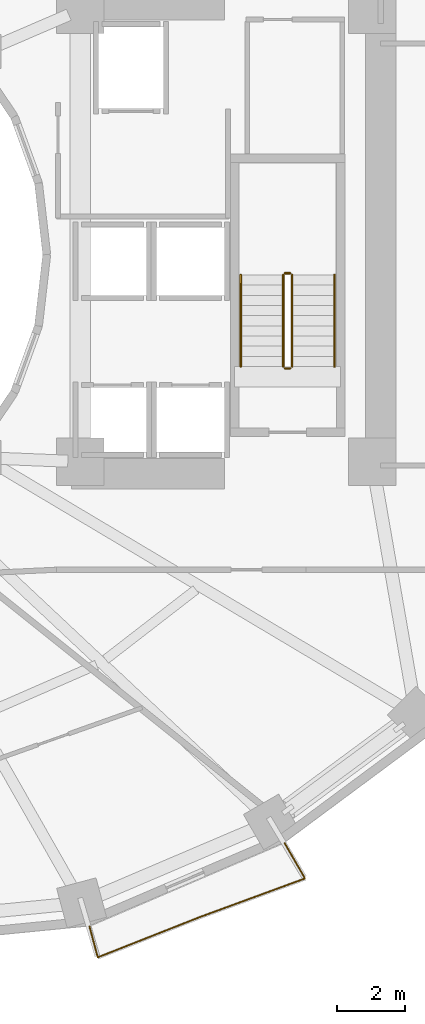
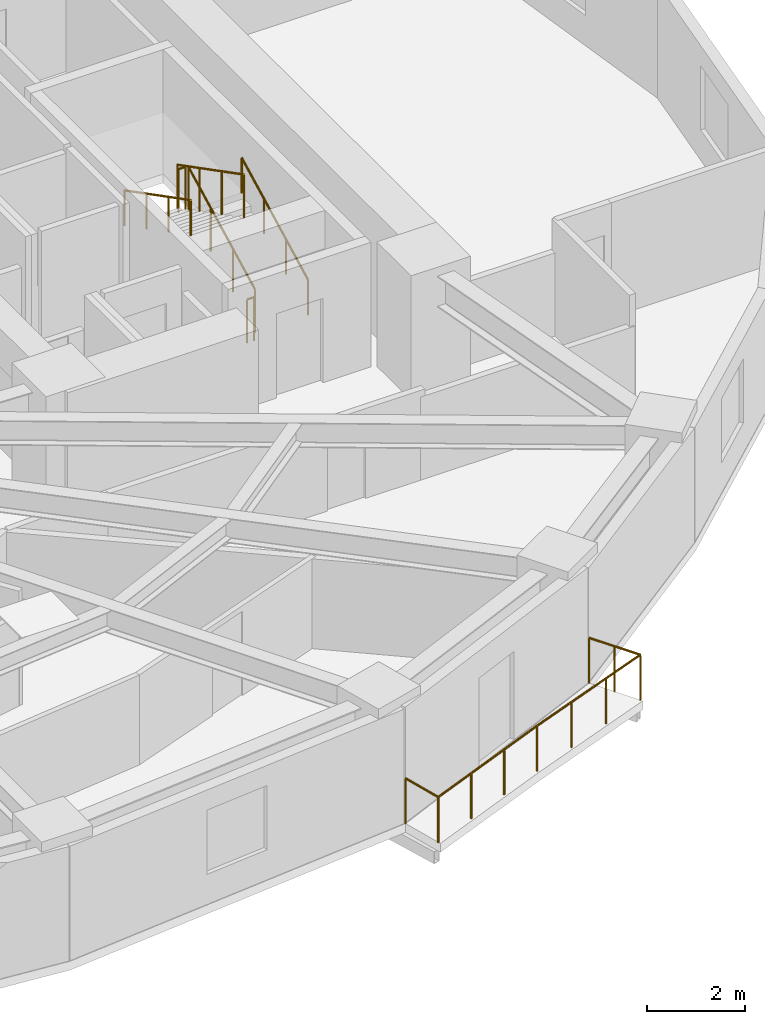
# One storey, part 9 of 10: 7 railings.
"""IFC4 building model written with IfcOpenShell, lengths in metres."""

from ifc_helpers import new_model, si_unit, direction, frame, origin, origin_2d, place, context, subcontext, project, spatial, circle, extrude, material, type_object, element, save


model = new_model("IFC4")

# Units and contexts
model_context = context("Model", 3, precision=1e-05, world=origin(), true_north=direction((0.0, 1.0)))
body_context = subcontext(model_context, "Body", "Model", "MODEL_VIEW")
ifc_project = project(units=[si_unit("LENGTHUNIT", "METRE"), si_unit("AREAUNIT", "SQUARE_METRE"), si_unit("VOLUMEUNIT", "CUBIC_METRE"), si_unit("PLANEANGLEUNIT", "RADIAN"), si_unit("MASSUNIT", "GRAM", prefix="KILO")], contexts=[model_context])

# Site, building, storey
site_placement = place(None, origin())
site = spatial("IfcSite", under=ifc_project, at=site_placement, CompositionType="ELEMENT")
building_placement = place(site_placement, origin())
building = spatial("IfcBuilding", under=site, at=building_placement, Name="Solvane Sanctuary Tower", CompositionType="ELEMENT")
storey_placement = place(building_placement, frame((0.0, 0.0, 30.699951171875)))
storey = spatial("IfcBuildingStorey", under=building, at=storey_placement, Name="L08", CompositionType="ELEMENT", Elevation=30.699951171875)

# Railings
ifc_material = material(Name="Architectural Stainless Steel 316", Category="steel")
railing_type_1 = type_object("IfcRailingType", Name="Railing GR-BALC-1150", PredefinedType="BALUSTRADE", material=ifc_material)
railing_1_placement = place(storey_placement, frame((40.376708984375, 3.22119140625, 0.0)))
element("IfcRailing", 1, at=railing_1_placement, inside=storey, type_object=railing_type_1, Name="L08 Wave Balcony Balustrade S2", PredefinedType="BALUSTRADE", context=body_context, shape_type="SweptSolid", body=[
    extrude(circle(Radius=0.02392578125, at=origin_2d()), frame((0.0, 0.0, 1.1259765625), z_axis=(0.259016592134, -0.965872872069, 0.0), x_axis=(0.965872872069, 0.259016592134, 0.0)), (0.0, 0.0, 1.0), 0.942626953125),
    extrude(circle(Radius=0.02392578125, at=origin_2d()), frame((0.244140625, -0.910400390625, 1.1259765625), z_axis=(0.930250511205, 0.366925041939, 0.0), x_axis=(-0.366925041939, 0.930250511205, 0.0)), (0.0, 0.0, 1.0), 3.24560546875),
    extrude(circle(Radius=0.02392578125, at=origin_2d()), frame((3.263427734375, 0.280517578125, 1.1259765625), z_axis=(0.938757668563, 0.344578060407, 0.0), x_axis=(-0.344578060407, 0.938757668563, 0.0)), (0.0, 0.0, 1.0), 3.282470703125),
    extrude(circle(Radius=0.02392578125, at=origin_2d()), frame((6.344970703125, 1.41162109375, 1.1259765625), z_axis=(-0.500055147301, 0.865993562134, 0.0), x_axis=(-0.865993562134, -0.500055147301, 0.0)), (0.0, 0.0, 1.0), 1.206787109375),
    extrude(circle(Radius=0.02099609375, at=origin_2d()), origin(), (0.0, 0.0, 1.0), 1.101806640625),
    extrude(circle(Radius=0.02099609375, at=origin_2d()), frame((0.244140625, -0.910400390625, 0.0)), (0.0, 0.0, 1.0), 1.101806640625),
    extrude(circle(Radius=0.02099609375, at=origin_2d()), frame((1.25048828125, -0.513427734375, 0.0)), (0.0, 0.0, 1.0), 1.101806640625),
    extrude(circle(Radius=0.02099609375, at=origin_2d()), frame((2.257080078125, -0.116455078125, 0.0)), (0.0, 0.0, 1.0), 1.101806640625),
    extrude(circle(Radius=0.02099609375, at=origin_2d()), frame((3.263427734375, 0.280517578125, 0.0)), (0.0, 0.0, 1.0), 1.101806640625),
    extrude(circle(Radius=0.02099609375, at=origin_2d()), frame((4.29052734375, 0.657470703125, 0.0)), (0.0, 0.0, 1.0), 1.101806640625),
    extrude(circle(Radius=0.02099609375, at=origin_2d()), frame((5.31787109375, 1.03466796875, 0.0)), (0.0, 0.0, 1.0), 1.101806640625),
    extrude(circle(Radius=0.02099609375, at=origin_2d()), frame((6.344970703125, 1.41162109375, 0.0)), (0.0, 0.0, 1.0), 1.101806640625),
    extrude(circle(Radius=0.02099609375, at=origin_2d()), frame((6.043212890625, 1.93408203125, 0.0)), (0.0, 0.0, 1.0), 1.101806640625),
    extrude(circle(Radius=0.02099609375, at=origin_2d()), frame((5.741455078125, 2.456787109375, 0.0)), (0.0, 0.0, 1.0), 1.101806640625),
])
railing_2_placement = place(storey_placement, frame((46.340087890625, 19.699951171875, 0.155029296875)))
element("IfcRailing", 2, at=railing_2_placement, inside=storey, type_object=railing_type_1, Name="L08 ST-2 stair guard 1", PredefinedType="BALUSTRADE", context=body_context, shape_type="SweptSolid", body=[
    extrude(circle(Radius=0.02392578125, at=origin_2d()), frame((0.0, 0.0, 1.076171875), z_axis=(0.0, 0.888419900624, 0.459031676658), x_axis=(-1.0, 0.0, 0.0)), (0.0, 0.0, 1.0), 3.0390625),
    extrude(circle(Radius=0.02099609375, at=origin_2d()), origin(), (0.0, 0.0, 1.0), 1.052001953125),
    extrude(circle(Radius=0.02099609375, at=origin_2d()), frame((0.0, 0.89990234375, 0.465087890625)), (0.0, 0.0, 1.0), 1.052001953125),
    extrude(circle(Radius=0.02099609375, at=origin_2d()), frame((0.0, 1.800048828125, 0.929931640625)), (0.0, 0.0, 1.0), 1.052001953125),
    extrude(circle(Radius=0.02099609375, at=origin_2d()), frame((0.0, 2.699951171875, 1.39501953125)), (0.0, 0.0, 1.0), 1.052001953125),
])
railing_3_placement = place(storey_placement, frame((46.2900390625, 22.449951171875, 1.550048828125)))
element("IfcRailing", 3, at=railing_3_placement, inside=storey, type_object=railing_type_1, Name="L08 ST-2 stair guard 2", PredefinedType="BALUSTRADE", context=body_context, shape_type="SweptSolid", body=[
    extrude(circle(Radius=0.02392578125, at=origin_2d()), frame((0.0, 0.0, 1.076171875), z_axis=(-1.0, 0.0, 0.0), x_axis=(0.0, -1.0, 0.0)), (0.0, 0.0, 1.0), 0.16015625),
    extrude(circle(Radius=0.02099609375, at=origin_2d()), origin(), (0.0, 0.0, 1.0), 1.052001953125),
    extrude(circle(Radius=0.02099609375, at=origin_2d()), frame((-0.16015625, 0.0, 0.0)), (0.0, 0.0, 1.0), 1.052001953125),
])
railing_4_placement = place(storey_placement, frame((46.080078125, 22.39990234375, 1.705078125)))
element("IfcRailing", 4, at=railing_4_placement, inside=storey, type_object=railing_type_1, Name="L08 ST-2 stair guard 3", PredefinedType="BALUSTRADE", context=body_context, shape_type="SweptSolid", body=[
    extrude(circle(Radius=0.02392578125, at=origin_2d()), frame((0.0, 0.0, 1.076171875), z_axis=(0.0, -0.888419900624, 0.459031676658), x_axis=(1.0, 0.0, 0.0)), (0.0, 0.0, 1.0), 3.0390625),
    extrude(circle(Radius=0.02099609375, at=origin_2d()), origin(), (0.0, 0.0, 1.0), 1.052001953125),
    extrude(circle(Radius=0.02099609375, at=origin_2d()), frame((0.0, -0.89990234375, 0.465087890625)), (0.0, 0.0, 1.0), 1.052001953125),
    extrude(circle(Radius=0.02099609375, at=origin_2d()), frame((0.0, -1.800048828125, 0.929931640625)), (0.0, 0.0, 1.0), 1.052001953125),
    extrude(circle(Radius=0.02099609375, at=origin_2d()), frame((0.0, -2.699951171875, 1.39501953125)), (0.0, 0.0, 1.0), 1.052001953125),
])
railing_5_placement = place(storey_placement, frame((46.2900390625, 19.64990234375, 0.0)))
element("IfcRailing", 5, at=railing_5_placement, inside=storey, type_object=railing_type_1, Name="L08 ST-2 stair guard 4", PredefinedType="BALUSTRADE", context=body_context, shape_type="SweptSolid", body=[
    extrude(circle(Radius=0.02392578125, at=origin_2d()), frame((0.0, 0.0, 1.076171875), z_axis=(-1.0, 0.0, 0.0), x_axis=(0.0, -1.0, 0.0)), (0.0, 0.0, 1.0), 0.16015625),
    extrude(circle(Radius=0.02099609375, at=origin_2d()), origin(), (0.0, 0.0, 1.0), 1.052001953125),
    extrude(circle(Radius=0.02099609375, at=origin_2d()), frame((-0.16015625, 0.0, 0.0)), (0.0, 0.0, 1.0), 1.052001953125),
])
railing_type_2 = type_object("IfcRailingType", Name="Railing HR-STAIR-920", PredefinedType="HANDRAIL", material=ifc_material)
railing_6_placement = place(storey_placement, frame((47.590087890625, 19.699951171875, 0.155029296875)))
element("IfcRailing", 6, at=railing_6_placement, inside=storey, type_object=railing_type_2, Name="L08 ST-2 stair handrail 1", PredefinedType="HANDRAIL", context=body_context, shape_type="SweptSolid", body=[
    extrude(circle(Radius=0.02392578125, at=origin_2d()), frame((0.0, 0.0, 0.8759765625), z_axis=(0.0, 0.888419900624, 0.459031676658), x_axis=(-1.0, 0.0, 0.0)), (0.0, 0.0, 1.0), 3.0390625),
    extrude(circle(Radius=0.02099609375, at=origin_2d()), origin(), (0.0, 0.0, 1.0), 0.851806640625),
    extrude(circle(Radius=0.02099609375, at=origin_2d()), frame((0.0, 0.89990234375, 0.465087890625)), (0.0, 0.0, 1.0), 0.851806640625),
    extrude(circle(Radius=0.02099609375, at=origin_2d()), frame((0.0, 1.800048828125, 0.929931640625)), (0.0, 0.0, 1.0), 0.851806640625),
    extrude(circle(Radius=0.02099609375, at=origin_2d()), frame((0.0, 2.699951171875, 1.39501953125)), (0.0, 0.0, 1.0), 0.851806640625),
])
railing_7_placement = place(storey_placement, frame((44.830078125, 22.39990234375, 1.705078125)))
element("IfcRailing", 7, at=railing_7_placement, inside=storey, type_object=railing_type_2, Name="L08 ST-2 stair handrail 2", PredefinedType="HANDRAIL", context=body_context, shape_type="SweptSolid", body=[
    extrude(circle(Radius=0.02392578125, at=origin_2d()), frame((0.0, 0.0, 0.8759765625), z_axis=(0.0, -0.888419900624, 0.459031676658), x_axis=(1.0, 0.0, 0.0)), (0.0, 0.0, 1.0), 3.0390625),
    extrude(circle(Radius=0.02099609375, at=origin_2d()), origin(), (0.0, 0.0, 1.0), 0.851806640625),
    extrude(circle(Radius=0.02099609375, at=origin_2d()), frame((0.0, -0.89990234375, 0.465087890625)), (0.0, 0.0, 1.0), 0.851806640625),
    extrude(circle(Radius=0.02099609375, at=origin_2d()), frame((0.0, -1.800048828125, 0.929931640625)), (0.0, 0.0, 1.0), 0.851806640625),
    extrude(circle(Radius=0.02099609375, at=origin_2d()), frame((0.0, -2.699951171875, 1.39501953125)), (0.0, 0.0, 1.0), 0.851806640625),
])

save(model, "model.ifc")
